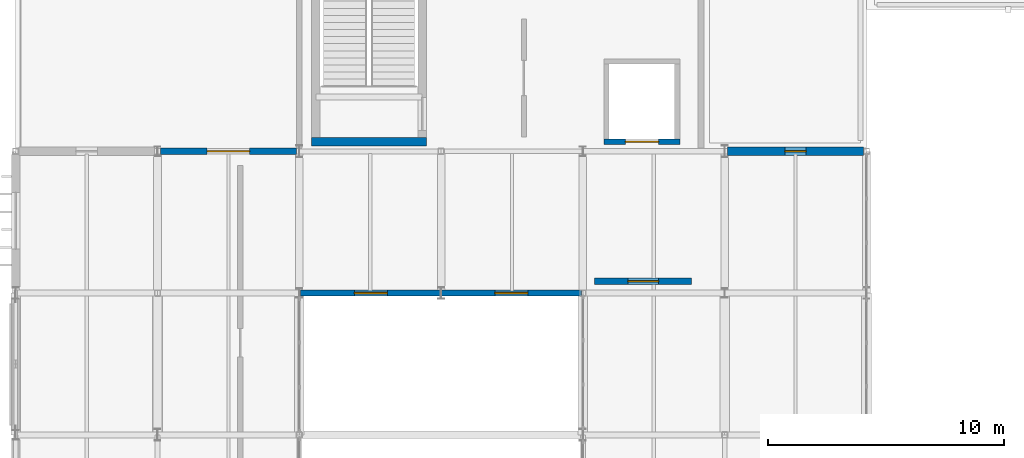
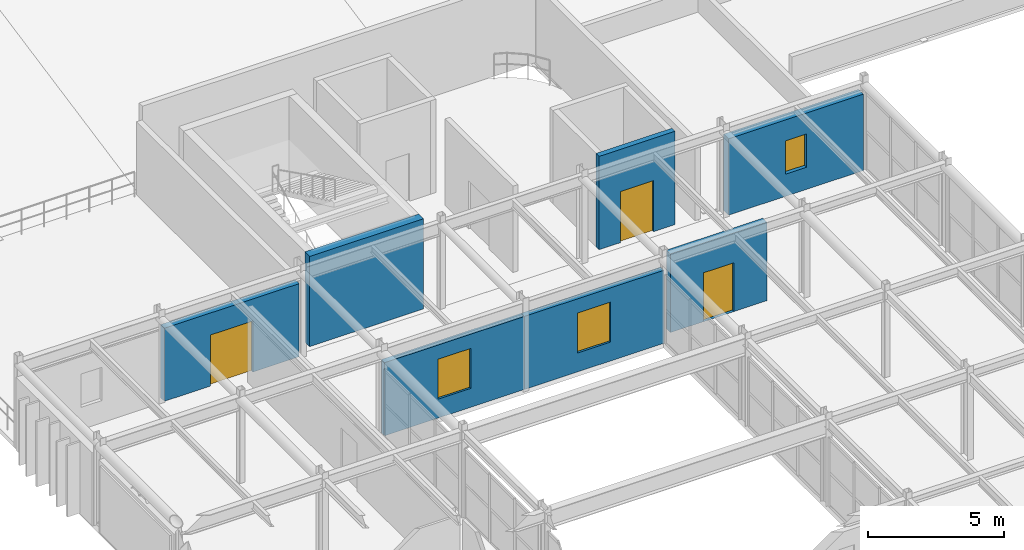
# One storey, part 60 of 83: 7 walls, 3 doors, 3 windows, 6 openings.
"""IFC4 building model written with IfcOpenShell, lengths in metres."""

from ifc_helpers import new_model, si_unit, direction, frame, frame_2d, origin, place, context, subcontext, project, spatial, rectangle, extrude, material, layer, layer_set, type_object, element, fill, save


model = new_model("IFC4")

# Units and contexts
model_context = context("Model", 3, precision=1e-05, world=origin(), true_north=direction((0.0, 1.0)))
body_context = subcontext(model_context, "Body", "Model", "MODEL_VIEW")
ifc_project = project(units=[si_unit("LENGTHUNIT", "METRE"), si_unit("AREAUNIT", "SQUARE_METRE"), si_unit("VOLUMEUNIT", "CUBIC_METRE"), si_unit("PLANEANGLEUNIT", "RADIAN"), si_unit("MASSUNIT", "GRAM", prefix="KILO")], contexts=[model_context])

# Site, building, storey
site_placement = place(None, origin())
site = spatial("IfcSite", under=ifc_project, at=site_placement, CompositionType="ELEMENT")
building_placement = place(site_placement, origin())
building = spatial("IfcBuilding", under=site, at=building_placement, Name="Varnakota Square Police Headquarters", CompositionType="ELEMENT")
storey_placement = place(building_placement, frame((0.0, 0.0, 18.0)))
storey = spatial("IfcBuildingStorey", under=building, at=storey_placement, Name="L04", CompositionType="ELEMENT", Elevation=18.0)

# Wall, opening, door
ifc_material_1 = material(Name="Concrete M40", Category="concrete")
ifc_layer_1 = layer(ifc_material_1, 0.22998046875, Name="Concrete M40")
ifc_layer_set_1 = layer_set([ifc_layer_1], Name="Concrete M40")
wall_type_1 = type_object("IfcWallType", Name="WL-CORE-230", PredefinedType="SHEAR", material=ifc_layer_set_1)
wall_1_placement = place(storey_placement, frame((30.885009765625, 63.39990234375, 0.0), z_axis=(0.0, 0.0, 1.0), x_axis=(1.0, 0.0, 0.0)))
wall_1 = element("IfcWall", 1, at=wall_1_placement, inside=storey, type_object=wall_type_1, Name="Lift shaft wall LF-G1 L04 S", PredefinedType="SHEAR", context=body_context, shape_type="SweptSolid", body=[
    extrude(rectangle(XDim=3.22998046875, YDim=0.22998046875, at=frame_2d((1.614990234375, 0.0))), origin(), (0.0, 0.0, 1.0), 4.199951171875),
])
opening_1_placement = place(wall_1_placement, frame((0.9150390625, 0.0, 0.0)))
opening_1 = element("IfcOpeningElement", 2, at=opening_1_placement, cuts=wall_1, Name="Opening LD049", PredefinedType="OPENING", context=body_context, shape_type="SweptSolid", body=[
    extrude(rectangle(XDim=1.39990234375, YDim=2.300048828125, at=frame_2d((0.699951171875, 1.14990234375))), frame((0.0, 0.125, 0.0), z_axis=(0.0, -1.0, 0.0), x_axis=(1.0, 0.0, 0.0)), (0.0, 0.0, 1.0), 0.25),
])
ifc_material_2 = material(Name="Heavy-Gauge Brushed Stainless Steel", Category="steel")
door_type_1 = type_object("IfcDoorType", Name="DR-LD-GDS", OperationType="NOTDEFINED", PredefinedType="DOOR", material=ifc_material_2)
door_1_placement = place(opening_1_placement, origin())
door_1 = element("IfcDoor", 3, at=door_1_placement, inside=storey, type_object=door_type_1, Name="Lift sliding landing door LD049", OperationType="SLIDING_TO_LEFT", OverallHeight=2.300048828125, OverallWidth=1.39990234375, PredefinedType="DOOR", context=body_context, shape_type="SweptSolid", body=[
    extrude(rectangle(XDim=1.39990234375, YDim=2.300048828125, at=frame_2d((0.699951171875, 1.14990234375))), frame((0.0, 0.02490234375, 0.0), z_axis=(0.0, -1.0, 0.0), x_axis=(1.0, 0.0, 0.0)), (0.0, 0.0, 1.0), 0.050048828125),
])
fill(opening_1, door_1)

# Wall
ifc_material_3 = material(Name="Concrete M50", Category="concrete")
ifc_layer_2 = layer(ifc_material_3, 0.35009765625, Name="Concrete M50")
ifc_layer_set_2 = layer_set([ifc_layer_2], Name="Concrete M50")
wall_type_2 = type_object("IfcWallType", Name="WL-CORE-350", PredefinedType="SHEAR", material=ifc_layer_set_2)
wall_2_placement = place(storey_placement, frame((18.52490234375, 63.39990234375, 0.0), z_axis=(0.0, 0.0, 1.0), x_axis=(1.0, 0.0, 0.0)))
element("IfcWall", 4, at=wall_2_placement, inside=storey, type_object=wall_type_2, Name="Core C5 shear wall L04 S", PredefinedType="SHEAR", context=body_context, shape_type="SweptSolid", body=[
    extrude(rectangle(XDim=4.85009765625, YDim=0.35009765625, at=frame_2d((2.425048828125, 0.0))), origin(), (0.0, 0.0, 1.0), 4.06005859375),
])

# Wall, opening, window
ifc_layer_3 = layer(ifc_material_1, 0.239990234375, Name="Concrete M40")
ifc_layer_set_3 = layer_set([ifc_layer_3], Name="Concrete M40")
wall_type_3 = type_object("IfcWallType", Name="WL-EXT-240", PredefinedType="SOLIDWALL", material=ifc_layer_set_3)
wall_3_placement = place(storey_placement, frame((18.050048828125, 57.0, 0.0), z_axis=(0.0, 0.0, 1.0), x_axis=(1.0, 0.0, 0.0)))
wall_3 = element("IfcWall", 5, at=wall_3_placement, inside=storey, type_object=wall_type_3, Name="Court exterior wall EW-L04-0452", PredefinedType="SOLIDWALL", context=body_context, shape_type="SweptSolid", body=[
    extrude(rectangle(XDim=5.949951171875, YDim=0.239990234375, at=frame_2d((2.97509765625, 0.0))), origin(), (0.0, 0.0, 1.0), 3.2900390625),
])
opening_2_placement = place(wall_3_placement, frame((2.27490234375, 0.0, 0.85009765625)))
opening_2 = element("IfcOpeningElement", 6, at=opening_2_placement, cuts=wall_3, Name="Opening W16", PredefinedType="OPENING", context=body_context, shape_type="SweptSolid", body=[
    extrude(rectangle(XDim=1.39990234375, YDim=1.800048828125, at=frame_2d((0.699951171875, 0.89990234375))), frame((0.0, 0.1298828125, 0.0), z_axis=(0.0, -1.0, 0.0), x_axis=(1.0, 0.0, 0.0)), (0.0, 0.0, 1.0), 0.260009765625),
])
ifc_material_4 = material(Name="Thermally Broken Aluminium Double-Glazed Window", Category="aluminium")
window_type_1 = type_object("IfcWindowType", Name="WIN-16", PartitioningType="SINGLE_PANEL", PredefinedType="WINDOW", material=ifc_material_4)
window_1_placement = place(opening_2_placement, origin())
window_1 = element("IfcWindow", 7, at=window_1_placement, inside=storey, type_object=window_type_1, Name="Window WN-L04-0103", OverallHeight=1.800048828125, OverallWidth=1.39990234375, PartitioningType="SINGLE_PANEL", PredefinedType="WINDOW", context=body_context, shape_type="SweptSolid", body=[
    extrude(rectangle(XDim=1.39990234375, YDim=1.800048828125, at=frame_2d((0.699951171875, 0.89990234375))), frame((0.0, 0.030029296875, 0.0), z_axis=(0.0, -1.0, 0.0), x_axis=(1.0, 0.0, 0.0)), (0.0, 0.0, 1.0), 0.06005859375),
])
fill(opening_2, window_1)

wall_4_placement = place(storey_placement, frame((24.0, 57.0, 0.0), z_axis=(0.0, 0.0, 1.0), x_axis=(1.0, 0.0, 0.0)))
wall_4 = element("IfcWall", 8, at=wall_4_placement, inside=storey, type_object=wall_type_3, Name="Court exterior wall EW-L04-0454", PredefinedType="SOLIDWALL", context=body_context, shape_type="SweptSolid", body=[
    extrude(rectangle(XDim=5.949951171875, YDim=0.239990234375, at=frame_2d((2.97509765625, 0.0))), origin(), (0.0, 0.0, 1.0), 3.2900390625),
])
opening_3_placement = place(wall_4_placement, frame((2.27490234375, 0.0, 0.85009765625)))
opening_3 = element("IfcOpeningElement", 9, at=opening_3_placement, cuts=wall_4, Name="Opening W16", PredefinedType="OPENING", context=body_context, shape_type="SweptSolid", body=[
    extrude(rectangle(XDim=1.39990234375, YDim=1.800048828125, at=frame_2d((0.699951171875, 0.89990234375))), frame((0.0, 0.1298828125, 0.0), z_axis=(0.0, -1.0, 0.0), x_axis=(1.0, 0.0, 0.0)), (0.0, 0.0, 1.0), 0.260009765625),
])
window_2_placement = place(opening_3_placement, origin())
window_2 = element("IfcWindow", 10, at=window_2_placement, inside=storey, type_object=window_type_1, Name="Window WN-L04-0105", OverallHeight=1.800048828125, OverallWidth=1.39990234375, PartitioningType="SINGLE_PANEL", PredefinedType="WINDOW", context=body_context, shape_type="SweptSolid", body=[
    extrude(rectangle(XDim=1.39990234375, YDim=1.800048828125, at=frame_2d((0.699951171875, 0.89990234375))), frame((0.0, 0.030029296875, 0.0), z_axis=(0.0, -1.0, 0.0), x_axis=(1.0, 0.0, 0.0)), (0.0, 0.0, 1.0), 0.06005859375),
])
fill(opening_3, window_2)

# Wall, opening, door
ifc_layer_4 = layer(ifc_material_1, 0.280029296875, Name="Concrete M40")
ifc_layer_set_4 = layer_set([ifc_layer_4], Name="Concrete M40")
wall_type_4 = type_object("IfcWallType", Name="WL-EXT-280", PredefinedType="SOLIDWALL", material=ifc_layer_set_4)
wall_5_placement = place(storey_placement, frame((12.12890625, 63.0, 0.0), z_axis=(0.0, 0.0, 1.0), x_axis=(1.0, 0.0, 0.0)))
wall_5 = element("IfcWall", 11, at=wall_5_placement, inside=storey, type_object=wall_type_4, Name="Exterior wall EW-L04-0449", PredefinedType="SOLIDWALL", context=body_context, shape_type="SweptSolid", body=[
    extrude(rectangle(XDim=5.7421875, YDim=0.280029296875, at=frame_2d((2.87109375, 0.0))), origin(), (0.0, 0.0, 1.0), 3.2900390625),
])
opening_4_placement = place(wall_5_placement, frame((1.970947265625, 0.0, 0.0)))
opening_4 = element("IfcOpeningElement", 12, at=opening_4_placement, cuts=wall_5, Name="Opening TD04", PredefinedType="OPENING", context=body_context, shape_type="SweptSolid", body=[
    extrude(rectangle(XDim=1.800048828125, YDim=2.300048828125, at=frame_2d((0.89990234375, 1.14990234375))), frame((0.0, 0.14990234375, 0.0), z_axis=(0.0, -1.0, 0.0), x_axis=(1.0, 0.0, 0.0)), (0.0, 0.0, 1.0), 0.300048828125),
])
ifc_material_5 = material(Name="Thermally Broken Glazed Terrace Door", Category="steel")
door_type_2 = type_object("IfcDoorType", Name="DR-EXT-TERR180", OperationType="NOTDEFINED", PredefinedType="DOOR", material=ifc_material_5)
door_2_placement = place(opening_4_placement, origin())
door_2 = element("IfcDoor", 13, at=door_2_placement, inside=storey, type_object=door_type_2, Name="Exterior door TD04", OperationType="DOUBLE_DOOR_SINGLE_SWING", OverallHeight=2.300048828125, OverallWidth=1.800048828125, PredefinedType="DOOR", context=body_context, shape_type="SweptSolid", body=[
    extrude(rectangle(XDim=1.800048828125, YDim=2.300048828125, at=frame_2d((0.89990234375, 1.14990234375))), frame((0.0, 0.02490234375, 0.0), z_axis=(0.0, -1.0, 0.0), x_axis=(1.0, 0.0, 0.0)), (0.0, 0.0, 1.0), 0.050048828125),
])
fill(opening_4, door_2)

# Wall, opening, window
ifc_layer_5 = layer(ifc_material_1, 0.360107421875, Name="Concrete M40")
ifc_layer_set_5 = layer_set([ifc_layer_5], Name="Concrete M40")
wall_type_5 = type_object("IfcWallType", Name="WL-EXT-360", PredefinedType="SOLIDWALL", material=ifc_layer_set_5)
wall_6_placement = place(storey_placement, frame((36.12890625, 63.0, 0.0), z_axis=(0.0, 0.0, 1.0), x_axis=(1.0, 0.0, 0.0)))
wall_6 = element("IfcWall", 14, at=wall_6_placement, inside=storey, type_object=wall_type_5, Name="Exterior wall EW-L04-0450", PredefinedType="SOLIDWALL", context=body_context, shape_type="SweptSolid", body=[
    extrude(rectangle(XDim=5.7421875, YDim=0.360107421875, at=frame_2d((2.87109375, 0.0))), origin(), (0.0, 0.0, 1.0), 3.43994140625),
])
opening_5_placement = place(wall_6_placement, frame((2.4208984375, 0.0, 1.0)))
opening_5 = element("IfcOpeningElement", 15, at=opening_5_placement, cuts=wall_6, Name="Opening W09", PredefinedType="OPENING", context=body_context, shape_type="SweptSolid", body=[
    extrude(rectangle(XDim=0.89990234375, YDim=1.5, at=frame_2d((0.449951171875, 0.75))), frame((0.0, 0.18994140625, 0.0), z_axis=(0.0, -1.0, 0.0), x_axis=(1.0, 0.0, 0.0)), (0.0, 0.0, 1.0), 0.380126953125),
])
window_type_2 = type_object("IfcWindowType", Name="WIN-09", PartitioningType="SINGLE_PANEL", PredefinedType="WINDOW", material=ifc_material_4)
window_3_placement = place(opening_5_placement, origin())
window_3 = element("IfcWindow", 16, at=window_3_placement, inside=storey, type_object=window_type_2, Name="Window WN-L04-0101", OverallHeight=1.5, OverallWidth=0.89990234375, PartitioningType="SINGLE_PANEL", PredefinedType="WINDOW", context=body_context, shape_type="SweptSolid", body=[
    extrude(rectangle(XDim=0.89990234375, YDim=1.5, at=frame_2d((0.449951171875, 0.75))), frame((0.0, 0.030029296875, 0.0), z_axis=(0.0, -1.0, 0.0), x_axis=(1.0, 0.0, 0.0)), (0.0, 0.0, 1.0), 0.06005859375),
])
fill(opening_5, window_3)

# Wall, opening, door
ifc_layer_6 = layer(ifc_material_1, 0.2900390625, Name="Concrete M40")
ifc_layer_set_6 = layer_set([ifc_layer_6], Name="Concrete M40")
wall_type_6 = type_object("IfcWallType", Name="WL-PRT-290F", PredefinedType="PARTITIONING", material=ifc_layer_set_6)
wall_7_placement = place(storey_placement, frame((30.5, 57.5, 0.0), z_axis=(0.0, 0.0, 1.0), x_axis=(1.0, 0.0, 0.0)))
wall_7 = element("IfcWall", 17, at=wall_7_placement, inside=storey, type_object=wall_type_6, Name="Interior partition PW-L04-0201 (Chemistry Forensic Laboratory)", PredefinedType="PARTITIONING", context=body_context, shape_type="SweptSolid", body=[
    extrude(rectangle(XDim=4.10009765625, YDim=0.2900390625, at=frame_2d((2.050048828125, 0.0))), origin(), (0.0, 0.0, 1.0), 3.5400390625),
])
opening_6_placement = place(wall_7_placement, frame((1.39990234375, 0.0, 0.0)))
opening_6 = element("IfcOpeningElement", 18, at=opening_6_placement, cuts=wall_7, Name="Opening D266", PredefinedType="OPENING", context=body_context, shape_type="SweptSolid", body=[
    extrude(rectangle(XDim=1.300048828125, YDim=2.199951171875, at=frame_2d((0.64990234375, 1.10009765625))), frame((0.0, 0.155029296875, 0.0), z_axis=(0.0, -1.0, 0.0), x_axis=(1.0, 0.0, 0.0)), (0.0, 0.0, 1.0), 0.31005859375),
])
ifc_material_6 = material(Name="Epoxy-Coated Hermetic Galvanised Steel", Category="steel")
door_type_3 = type_object("IfcDoorType", Name="DR-LAB-130", OperationType="NOTDEFINED", PredefinedType="DOOR", material=ifc_material_6)
door_3_placement = place(opening_6_placement, origin())
door_3 = element("IfcDoor", 19, at=door_3_placement, inside=storey, type_object=door_type_3, Name="Room door D266 (Chemistry Forensic Laboratory)", OperationType="SINGLE_SWING_RIGHT", OverallHeight=2.199951171875, OverallWidth=1.300048828125, PredefinedType="DOOR", context=body_context, shape_type="SweptSolid", body=[
    extrude(rectangle(XDim=1.300048828125, YDim=2.199951171875, at=frame_2d((0.64990234375, 1.10009765625))), frame((0.0, 0.02490234375, 0.0), z_axis=(0.0, -1.0, 0.0), x_axis=(1.0, 0.0, 0.0)), (0.0, 0.0, 1.0), 0.050048828125),
])
fill(opening_6, door_3)

save(model, "model.ifc")
